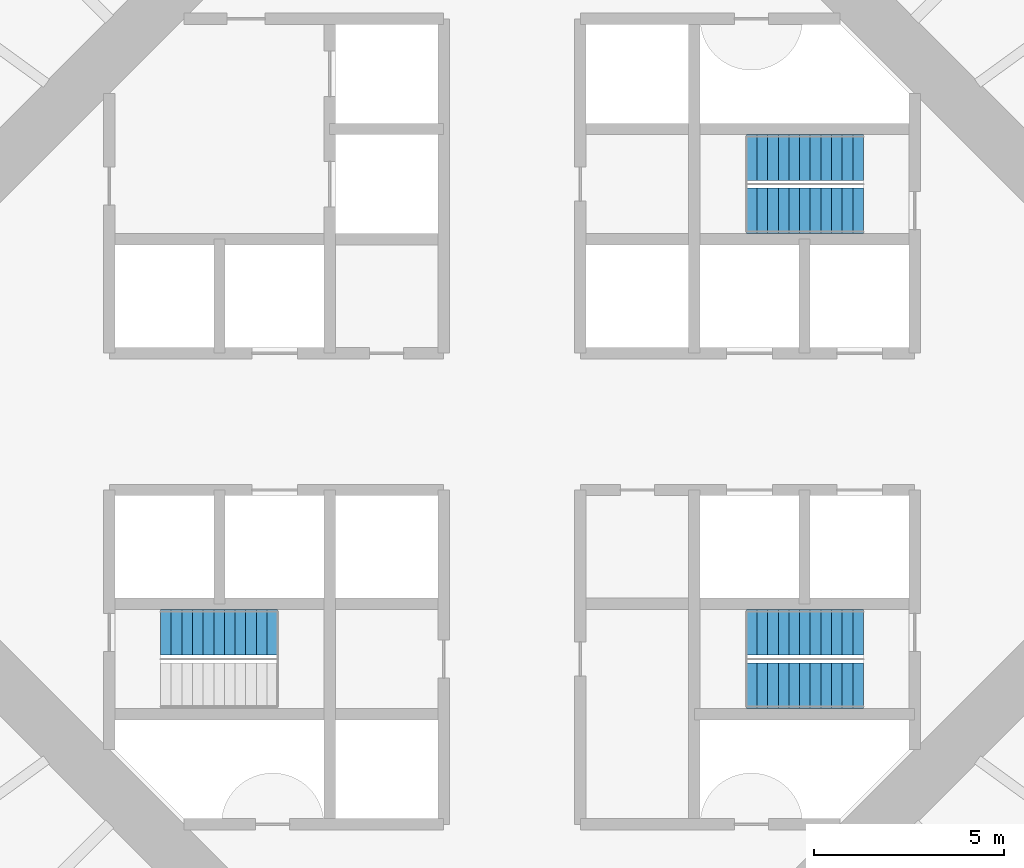
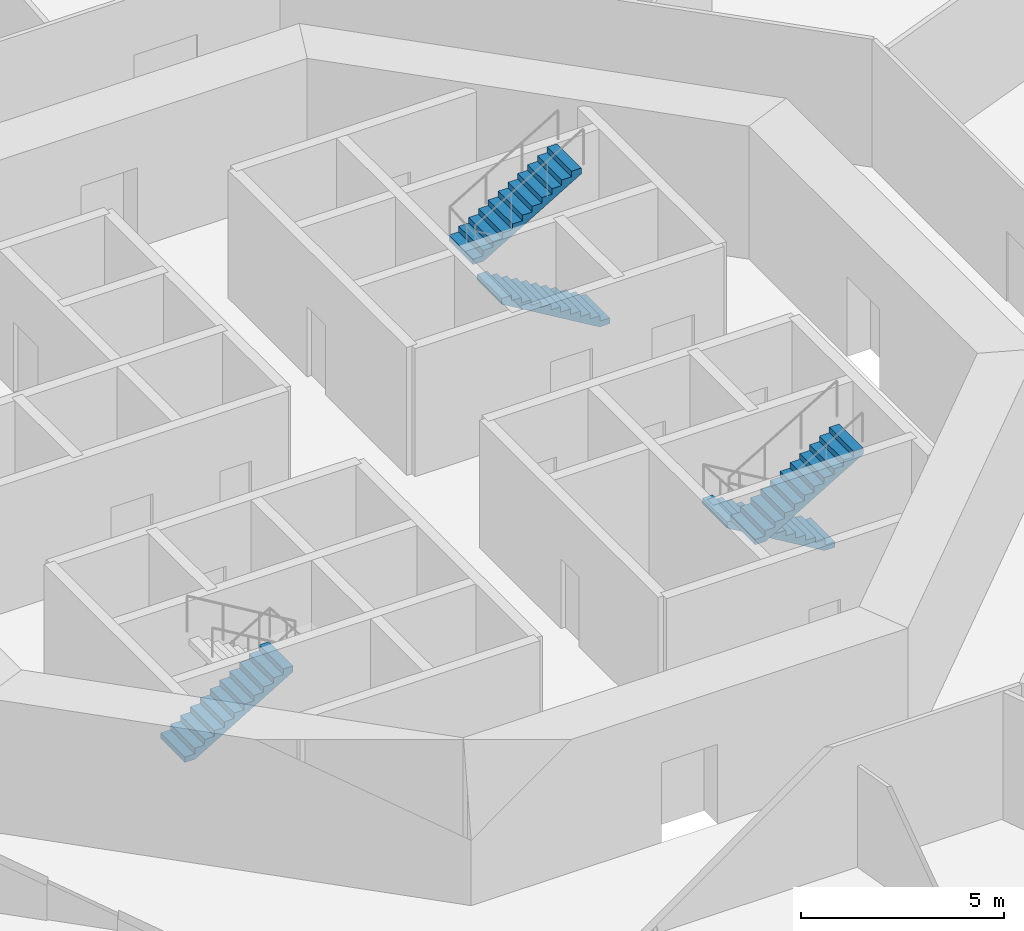
# One storey, part 6 of 13: 5 stair flights, 3 elements without a shape of their own.
"""IFC4 building model written with IfcOpenShell, lengths in metres."""

from ifc_helpers import new_model, si_unit, direction, frame, origin, place, context, subcontext, project, spatial, polyline, outline, extrude, material, type_object, element, aggregate, save


model = new_model("IFC4")

# Units and contexts
model_context = context("Model", 3, precision=1e-05, world=origin(), true_north=direction((0.0, 1.0)))
body_context = subcontext(model_context, "Body", "Model", "MODEL_VIEW")
ifc_project = project(units=[si_unit("LENGTHUNIT", "METRE"), si_unit("AREAUNIT", "SQUARE_METRE"), si_unit("VOLUMEUNIT", "CUBIC_METRE"), si_unit("PLANEANGLEUNIT", "RADIAN"), si_unit("MASSUNIT", "GRAM", prefix="KILO")], contexts=[model_context])

# Site, building, storey
site_placement = place(None, origin())
site = spatial("IfcSite", under=ifc_project, at=site_placement, CompositionType="ELEMENT")
building_placement = place(site_placement, origin())
building = spatial("IfcBuilding", under=site, at=building_placement, Name="Entoto Ring Tower", CompositionType="ELEMENT")
storey_placement = place(building_placement, frame((0.0, 0.0, 62.0)))
storey = spatial("IfcBuildingStorey", under=building, at=storey_placement, Name="L13", CompositionType="ELEMENT", Elevation=62.0)

# Stair, stair flights
ifc_material_1 = material(Name="Concrete C40/50", Category="concrete")
stair_type = type_object("IfcStairType", Name="Exit stair 1200 mm dog-leg reinforced concrete", PredefinedType="HALF_TURN_STAIR", material=ifc_material_1)
stair_1_placement = place(storey_placement, origin())
stair_1 = element("IfcStair", 1, at=stair_1_placement, inside=storey, type_object=stair_type, Name="Exit stair 1", PredefinedType="HALF_TURN_STAIR")
ifc_material_2 = material(Name="Concrete C40/50", Category="concrete")
stair_flight_type = type_object("IfcStairFlightType", Name="Stair flight 1200 mm reinforced concrete", PredefinedType="STRAIGHT", material=ifc_material_2)
stair_flight_1_placement = place(storey_placement, frame((99.25, 85.550048828125, 0.0), z_axis=(0.0, 0.0, 1.0), x_axis=(-1.0, 0.0, 0.0)))
stair_flight_1 = element("IfcStairFlight", 2, at=stair_flight_1_placement, type_object=stair_flight_type, Name="ST1 flight 1", NumberOfRisers=12, NumberOfTreads=11, PredefinedType="STRAIGHT", RiserHeight=0.166666667, TreadLength=0.28, context=body_context, shape_type="SweptSolid", body=[
    extrude(outline(polyline([(0.0, 0.0), (0.0, 0.166748046875), (0.280029296875, 0.166748046875), (0.280029296875, 0.333251953125), (0.56005859375, 0.333251953125), (0.56005859375, 0.5), (0.840087890625, 0.5), (0.840087890625, 0.666748046875), (1.1201171875, 0.666748046875), (1.1201171875, 0.833251953125), (1.39990234375, 0.833251953125), (1.39990234375, 1.0), (1.679931640625, 1.0), (1.679931640625, 1.166748046875), (1.9599609375, 1.166748046875), (1.9599609375, 1.333251953125), (2.239990234375, 1.333251953125), (2.239990234375, 1.5), (2.52001953125, 1.5), (2.52001953125, 1.666748046875), (2.800048828125, 1.666748046875), (2.800048828125, 1.833251953125), (3.080078125, 1.833251953125), (3.080078125, 2.0), (3.080078125, 1.658935546875), (0.29296875, 0.0), (0.0, 0.0)])), frame((0.0, 0.60009765625, 0.0), z_axis=(0.0, -1.0, 0.0), x_axis=(1.0, 0.0, 0.0)), (0.0, 0.0, 1.0), 1.199951171875),
])
stair_flight_2_placement = place(storey_placement, frame((96.169921875, 86.949951171875, 2.0), z_axis=(0.0, 0.0, 1.0), x_axis=(1.0, 0.0, 0.0)))
stair_flight_2 = element("IfcStairFlight", 3, at=stair_flight_2_placement, type_object=stair_flight_type, Name="ST1 flight 2", NumberOfRisers=12, NumberOfTreads=11, PredefinedType="STRAIGHT", RiserHeight=0.166666667, TreadLength=0.28, context=body_context, shape_type="SweptSolid", body=[
    extrude(outline(polyline([(0.0, 0.0), (0.0, 0.166748046875), (0.280029296875, 0.166748046875), (0.280029296875, 0.333251953125), (0.56005859375, 0.333251953125), (0.56005859375, 0.5), (0.840087890625, 0.5), (0.840087890625, 0.666748046875), (1.1201171875, 0.666748046875), (1.1201171875, 0.833251953125), (1.39990234375, 0.833251953125), (1.39990234375, 1.0), (1.679931640625, 1.0), (1.679931640625, 1.166748046875), (1.9599609375, 1.166748046875), (1.9599609375, 1.333251953125), (2.239990234375, 1.333251953125), (2.239990234375, 1.5), (2.52001953125, 1.5), (2.52001953125, 1.666748046875), (2.800048828125, 1.666748046875), (2.800048828125, 1.833251953125), (3.080078125, 1.833251953125), (3.080078125, 2.0), (3.080078125, 1.658935546875), (0.29296875, 0.0), (0.0, 0.0)])), frame((0.0, 0.60009765625, 0.0), z_axis=(0.0, -1.0, 0.0), x_axis=(1.0, 0.0, 0.0)), (0.0, 0.0, 1.0), 1.199951171875),
])
aggregate(stair_1, [stair_flight_1, stair_flight_2])

# Stair, stair flight
stair_2_placement = place(storey_placement, origin())
stair_2 = element("IfcStair", 4, at=stair_2_placement, inside=storey, type_object=stair_type, Name="Exit stair 2", PredefinedType="HALF_TURN_STAIR")
stair_flight_3_placement = place(storey_placement, frame((80.75, 74.449951171875, 0.0), z_axis=(0.0, 0.0, 1.0), x_axis=(1.0, 0.0, 0.0)))
stair_flight_3 = element("IfcStairFlight", 5, at=stair_flight_3_placement, type_object=stair_flight_type, Name="ST2 flight 1", NumberOfRisers=12, NumberOfTreads=11, PredefinedType="STRAIGHT", RiserHeight=0.166666667, TreadLength=0.28, context=body_context, shape_type="SweptSolid", body=[
    extrude(outline(polyline([(0.0, 0.0), (0.0, 0.166748046875), (0.280029296875, 0.166748046875), (0.280029296875, 0.333251953125), (0.56005859375, 0.333251953125), (0.56005859375, 0.5), (0.840087890625, 0.5), (0.840087890625, 0.666748046875), (1.1201171875, 0.666748046875), (1.1201171875, 0.833251953125), (1.39990234375, 0.833251953125), (1.39990234375, 1.0), (1.679931640625, 1.0), (1.679931640625, 1.166748046875), (1.9599609375, 1.166748046875), (1.9599609375, 1.333251953125), (2.239990234375, 1.333251953125), (2.239990234375, 1.5), (2.52001953125, 1.5), (2.52001953125, 1.666748046875), (2.800048828125, 1.666748046875), (2.800048828125, 1.833251953125), (3.080078125, 1.833251953125), (3.080078125, 2.0), (3.080078125, 1.658935546875), (0.29296875, 0.0), (0.0, 0.0)])), frame((0.0, 0.60009765625, 0.0), z_axis=(0.0, -1.0, 0.0), x_axis=(1.0, 0.0, 0.0)), (0.0, 0.0, 1.0), 1.199951171875),
])
aggregate(stair_2, [stair_flight_3])

# Stair, stair flights
stair_3_placement = place(storey_placement, origin())
stair_3 = element("IfcStair", 6, at=stair_3_placement, inside=storey, type_object=stair_type, Name="Exit stair 3", PredefinedType="HALF_TURN_STAIR")
stair_flight_4_placement = place(storey_placement, frame((99.25, 74.449951171875, 0.0), z_axis=(0.0, 0.0, 1.0), x_axis=(-1.0, 0.0, 0.0)))
stair_flight_4 = element("IfcStairFlight", 7, at=stair_flight_4_placement, type_object=stair_flight_type, Name="ST3 flight 1", NumberOfRisers=12, NumberOfTreads=11, PredefinedType="STRAIGHT", RiserHeight=0.166666667, TreadLength=0.28, context=body_context, shape_type="SweptSolid", body=[
    extrude(outline(polyline([(0.0, 0.0), (0.0, 0.166748046875), (0.280029296875, 0.166748046875), (0.280029296875, 0.333251953125), (0.56005859375, 0.333251953125), (0.56005859375, 0.5), (0.840087890625, 0.5), (0.840087890625, 0.666748046875), (1.1201171875, 0.666748046875), (1.1201171875, 0.833251953125), (1.39990234375, 0.833251953125), (1.39990234375, 1.0), (1.679931640625, 1.0), (1.679931640625, 1.166748046875), (1.9599609375, 1.166748046875), (1.9599609375, 1.333251953125), (2.239990234375, 1.333251953125), (2.239990234375, 1.5), (2.52001953125, 1.5), (2.52001953125, 1.666748046875), (2.800048828125, 1.666748046875), (2.800048828125, 1.833251953125), (3.080078125, 1.833251953125), (3.080078125, 2.0), (3.080078125, 1.658935546875), (0.29296875, 0.0), (0.0, 0.0)])), frame((0.0, 0.60009765625, 0.0), z_axis=(0.0, -1.0, 0.0), x_axis=(1.0, 0.0, 0.0)), (0.0, 0.0, 1.0), 1.199951171875),
])
stair_flight_5_placement = place(storey_placement, frame((96.169921875, 73.050048828125, 2.0), z_axis=(0.0, 0.0, 1.0), x_axis=(1.0, 0.0, 0.0)))
stair_flight_5 = element("IfcStairFlight", 8, at=stair_flight_5_placement, type_object=stair_flight_type, Name="ST3 flight 2", NumberOfRisers=12, NumberOfTreads=11, PredefinedType="STRAIGHT", RiserHeight=0.166666667, TreadLength=0.28, context=body_context, shape_type="SweptSolid", body=[
    extrude(outline(polyline([(0.0, 0.0), (0.0, 0.166748046875), (0.280029296875, 0.166748046875), (0.280029296875, 0.333251953125), (0.56005859375, 0.333251953125), (0.56005859375, 0.5), (0.840087890625, 0.5), (0.840087890625, 0.666748046875), (1.1201171875, 0.666748046875), (1.1201171875, 0.833251953125), (1.39990234375, 0.833251953125), (1.39990234375, 1.0), (1.679931640625, 1.0), (1.679931640625, 1.166748046875), (1.9599609375, 1.166748046875), (1.9599609375, 1.333251953125), (2.239990234375, 1.333251953125), (2.239990234375, 1.5), (2.52001953125, 1.5), (2.52001953125, 1.666748046875), (2.800048828125, 1.666748046875), (2.800048828125, 1.833251953125), (3.080078125, 1.833251953125), (3.080078125, 2.0), (3.080078125, 1.658935546875), (0.29296875, 0.0), (0.0, 0.0)])), frame((0.0, 0.60009765625, 0.0), z_axis=(0.0, -1.0, 0.0), x_axis=(1.0, 0.0, 0.0)), (0.0, 0.0, 1.0), 1.199951171875),
])
aggregate(stair_3, [stair_flight_4, stair_flight_5])

save(model, "model.ifc")
